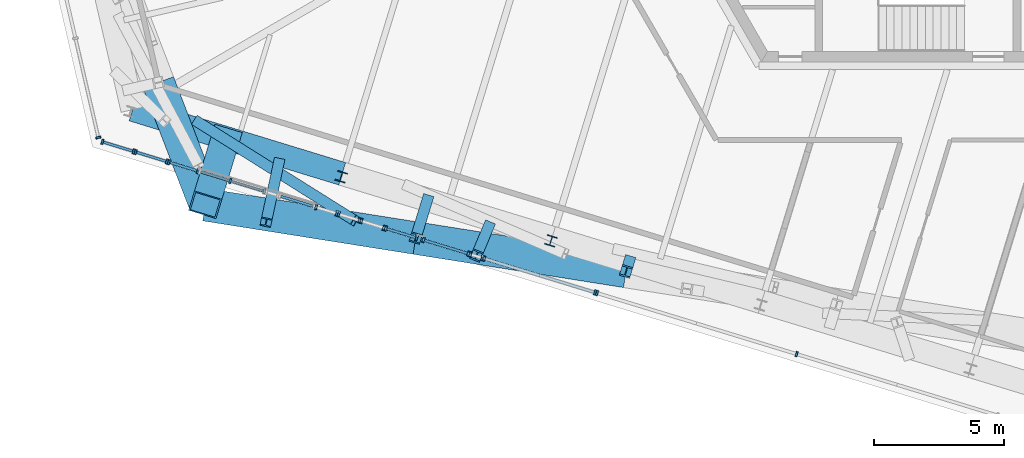
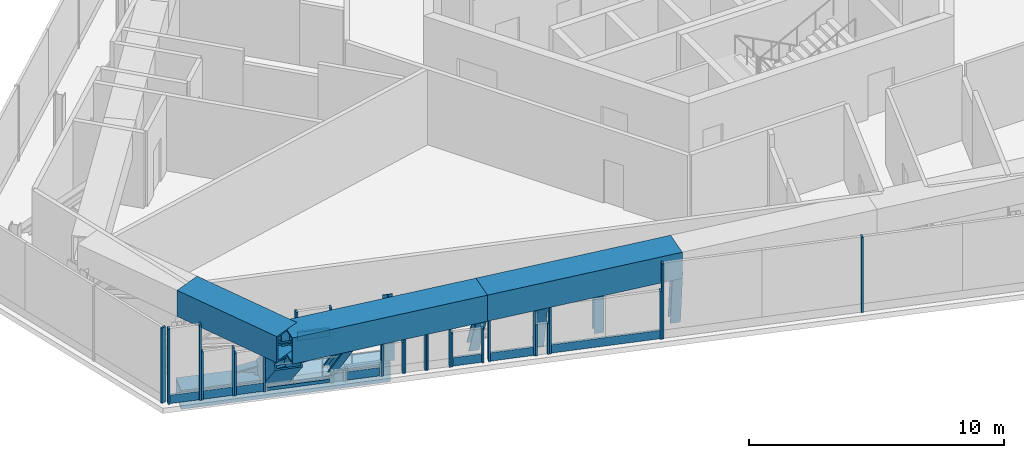
# One storey, part 1 of 31: 46 members, 15 elements without a shape of their own.
"""IFC4 building model written with IfcOpenShell, lengths in metres."""

from ifc_helpers import new_model, si_unit, direction, frame, origin, origin_2d, place, context, subcontext, project, spatial, rectangle, hollow_rectangle, i_section, extrude, source, transform, mapped, material, material_profile, profile_set, type_object, element, aggregate, save


model = new_model("IFC4")

# Units and contexts
model_context = context("Model", 3, precision=1e-05, world=origin(), true_north=direction((0.0, 1.0)))
body_context = subcontext(model_context, "Body", "Model", "MODEL_VIEW")
ifc_project = project(units=[si_unit("LENGTHUNIT", "METRE"), si_unit("AREAUNIT", "SQUARE_METRE"), si_unit("VOLUMEUNIT", "CUBIC_METRE"), si_unit("PLANEANGLEUNIT", "RADIAN"), si_unit("MASSUNIT", "GRAM", prefix="KILO")], contexts=[model_context])

# Site, building, storey
site_placement = place(None, origin())
site = spatial("IfcSite", under=ifc_project, at=site_placement, CompositionType="ELEMENT")
building_placement = place(site_placement, origin())
building = spatial("IfcBuilding", under=site, at=building_placement, Name="Triune Harvest Tower", CompositionType="ELEMENT")
storey_placement = place(building_placement, frame((0.0, 0.0, 134.300048828125)))
storey = spatial("IfcBuildingStorey", under=building, at=storey_placement, Name="L34", CompositionType="ELEMENT", Elevation=134.300048828125)

# Member
ifc_material_1 = material(Name="Steel ASTM A992 Gr 50", Category="steel")
ifc_material_profile_1 = material_profile(ifc_material_1, i_section(OverallWidth=0.411376953125, OverallDepth=0.434326171875, WebThickness=0.035888671875, FlangeThickness=0.057373046875, at=origin_2d()), Name="W14x311")
ifc_profile_set_1 = profile_set([ifc_material_profile_1], Name="Steel ASTM A992 Gr 50")
member_type_1 = type_object("IfcMemberType", Name="TD-2 Belt truss diagonal W14x311", PredefinedType="BRACE", material=ifc_profile_set_1)
member_1_placement = place(storey_placement, frame((-24.521728515625, -14.259033203125, -0.324951171875), z_axis=(-0.136641946938, -0.639593352627, 0.756471626442), x_axis=(0.977931843588, -0.208924171166, 0.0)))
element("IfcMember", 1, at=member_1_placement, inside=storey, type_object=member_type_1, Name="truss/L34/TD34", PredefinedType="BRACE", context=body_context, shape_type="SweptSolid", body=[
    extrude(i_section(OverallWidth=0.411376953125, OverallDepth=0.434326171875, WebThickness=0.035888671875, FlangeThickness=0.057373046875, at=origin_2d()), origin(), (0.0, 0.0, 1.0), 3.582275390625),
])

# Curtain wall, member
ifc_material_2 = material(Name="Aluminium bronze anodised", Category="aluminium")
curtain_wall_type_1 = type_object("IfcCurtainWallType", Name="CW-5 Plant louvre wall", PredefinedType="NOTDEFINED", material=ifc_material_2)
curtain_wall_1_placement = place(storey_placement, origin())
curtain_wall_1 = element("IfcCurtainWall", 2, at=curtain_wall_1_placement, inside=storey, type_object=curtain_wall_type_1, Name="CW-5 B3-F5 L34 run 201")
ifc_material_3 = material(Name="Aluminium bronze anodised", Category="aluminium")
ifc_material_profile_2 = material_profile(ifc_material_3, rectangle(XDim=0.10009765625, YDim=0.39990234375, at=origin_2d()), Name="TR-5 transom 100 x 400")
ifc_profile_set_2 = profile_set([ifc_material_profile_2], Name="Aluminium bronze anodised")
member_type_2 = type_object("IfcMemberType", Name="TR-5 transom 100 x 400", PredefinedType="USERDEFINED", material=ifc_profile_set_2)
member_2_placement = place(storey_placement, frame((-28.701416015625, -14.255615234375, 0.199951171875), z_axis=(0.956290198193, -0.292419316803, 0.0), x_axis=(0.292419316803, 0.956290198193, 0.0)))
member_2 = element("IfcMember", 3, at=member_2_placement, type_object=member_type_2, Name="CW-5 transom B3-F5 201.1", ObjectType="TRANSOM", PredefinedType="USERDEFINED", context=body_context, shape_type="SweptSolid", body=[
    extrude(rectangle(XDim=0.10009765625, YDim=0.39990234375, at=origin_2d()), origin(), (0.0, 0.0, 1.0), 1.081298828125),
])

curtain_wall_2_placement = place(storey_placement, origin())
curtain_wall_2 = element("IfcCurtainWall", 4, at=curtain_wall_2_placement, inside=storey, type_object=curtain_wall_type_1, Name="CW-5 B3-F5 L34 run 301")
member_3_placement = place(storey_placement, frame((-26.347900390625, -14.97509765625, 2.39453125), z_axis=(0.956314746579, -0.292339024892, 0.0), x_axis=(0.292339024892, 0.956314746579, 0.0)))
member_3 = element("IfcMember", 5, at=member_3_placement, type_object=member_type_2, Name="CW-5 transom B3-F5 301.1", ObjectType="TRANSOM", PredefinedType="USERDEFINED", context=body_context, shape_type="SweptSolid", body=[
    extrude(rectangle(XDim=0.10009765625, YDim=0.39990234375, at=origin_2d()), origin(), (0.0, 0.0, 1.0), 1.286865234375),
])

curtain_wall_3_placement = place(storey_placement, origin())
curtain_wall_3 = element("IfcCurtainWall", 6, at=curtain_wall_3_placement, inside=storey, type_object=curtain_wall_type_1, Name="CW-5 B3-F5 L34 run 601")
member_4_placement = place(storey_placement, frame((-24.447509765625, -15.55615234375, 0.199951171875), z_axis=(0.956317999386, -0.292328383929, 0.0), x_axis=(0.292328383929, 0.956317999386, 0.0)))
member_4 = element("IfcMember", 7, at=member_4_placement, type_object=member_type_2, Name="CW-5 transom B3-F5 601.1", ObjectType="TRANSOM", PredefinedType="USERDEFINED", context=body_context, shape_type="SweptSolid", body=[
    extrude(rectangle(XDim=0.10009765625, YDim=0.39990234375, at=origin_2d()), origin(), (0.0, 0.0, 1.0), 1.298583984375),
])
aggregate(curtain_wall_3, [member_4])

curtain_wall_4_placement = place(storey_placement, origin())
curtain_wall_4 = element("IfcCurtainWall", 8, at=curtain_wall_4_placement, inside=storey, type_object=curtain_wall_type_1, Name="CW-5 B3-F5 L34 run 1001")
member_5_placement = place(storey_placement, frame((-20.380859375, -16.799560546875, 0.199951171875), z_axis=(0.956333561976, -0.292277467894, 0.0), x_axis=(0.292277467894, 0.956333561976, 0.0)))
member_5 = element("IfcMember", 9, at=member_5_placement, type_object=member_type_2, Name="CW-5 transom B3-F5 1001.1", ObjectType="TRANSOM", PredefinedType="USERDEFINED", context=body_context, shape_type="SweptSolid", body=[
    extrude(rectangle(XDim=0.10009765625, YDim=0.39990234375, at=origin_2d()), origin(), (0.0, 0.0, 1.0), 1.15771484375),
])

curtain_wall_5_placement = place(storey_placement, origin())
curtain_wall_5 = element("IfcCurtainWall", 10, at=curtain_wall_5_placement, inside=storey, type_object=curtain_wall_type_1, Name="CW-5 B3-F5 L34 run 1101")
member_6_placement = place(storey_placement, frame((-18.935302734375, -17.241455078125, 0.199951171875), z_axis=(0.956316380382, -0.292333680259, 0.0), x_axis=(0.292333680259, 0.956316380382, 0.0)))
member_6 = element("IfcMember", 11, at=member_6_placement, type_object=member_type_2, Name="CW-5 transom B3-F5 1101.1", ObjectType="TRANSOM", PredefinedType="USERDEFINED", context=body_context, shape_type="SweptSolid", body=[
    extrude(rectangle(XDim=0.10009765625, YDim=0.39990234375, at=origin_2d()), origin(), (0.0, 0.0, 1.0), 1.7236328125),
])

curtain_wall_6_placement = place(storey_placement, origin())
curtain_wall_6 = element("IfcCurtainWall", 12, at=curtain_wall_6_placement, inside=storey, type_object=curtain_wall_type_1, Name="CW-5 B3-F5 L34 run 1301")
member_7_placement = place(storey_placement, frame((-16.604248046875, -17.9541015625, 0.199951171875), z_axis=(0.956309050487, -0.292357657599, 0.0), x_axis=(0.292357657599, 0.956309050487, 0.0)))
member_7 = element("IfcMember", 13, at=member_7_placement, type_object=member_type_2, Name="CW-5 transom B3-F5 1301.1", ObjectType="TRANSOM", PredefinedType="USERDEFINED", context=body_context, shape_type="SweptSolid", body=[
    extrude(rectangle(XDim=0.10009765625, YDim=0.39990234375, at=origin_2d()), origin(), (0.0, 0.0, 1.0), 4.369140625),
])

# Members
ifc_material_4 = material(Name="Steel ASTM A992 Gr 50", Category="steel")
ifc_material_profile_3 = material_profile(ifc_material_4, i_section(OverallWidth=0.396240234375, OverallDepth=0.381103515625, WebThickness=0.01904296875, FlangeThickness=0.0302734375, at=origin_2d()), Name="W14x159")
ifc_profile_set_3 = profile_set([ifc_material_profile_3], Name="Steel ASTM A992 Gr 50")
member_type_3 = type_object("IfcMemberType", Name="WP-3 Roof edge post W14x159", PredefinedType="POST", material=ifc_profile_set_3)
shared_shape_1 = source(origin(), body_context, "Body", "SweptSolid", [
    extrude(i_section(OverallWidth=0.396240234375, OverallDepth=0.381103515625, WebThickness=0.01904296875, FlangeThickness=0.0302734375, at=origin_2d()), origin(), (0.0, 0.0, 1.0), 2.935546875),
])
for number, where, z_axis, x_axis, name in (
    (14, (-22.123779296875, -14.80419921875, -0.25), (0.0, 0.0, 1.0), (0.956304755963, -0.292371704723, 0.0), "post/L34/W17"),
    (15, (-14.0771484375, -17.26416015625, -0.25), (0.0, 0.0, 1.0), (0.956304755963, -0.292371704723, 0.0), "post/L34/W18"),
):
    element("IfcMember", number, at=place(storey_placement, frame(where, z_axis=z_axis, x_axis=x_axis)), inside=storey, type_object=member_type_3, Name=name, PredefinedType="POST", context=body_context, shape_type="MappedRepresentation", body=[
        mapped(shared_shape_1, transform((0.0, 0.0, 0.0), scale=1.0)),
    ])
ifc_material_5 = material(Name="Steel ASTM A572 Gr 50", Category="steel")
ifc_material_profile_4 = material_profile(ifc_material_5, hollow_rectangle(XDim=0.89990234375, YDim=0.89990234375, WallThickness=0.050048828125, at=origin_2d()), Name="Box 900x900x50")
ifc_profile_set_4 = profile_set([ifc_material_profile_4], Name="Steel ASTM A572 Gr 50")
member_type_4 = type_object("IfcMemberType", Name="TC-2 Belt truss chord Box 900x900x50", PredefinedType="CHORD", material=ifc_profile_set_4)
shared_shape_2 = source(origin(), body_context, "Body", "SweptSolid", [
    extrude(hollow_rectangle(XDim=0.89990234375, YDim=0.89990234375, WallThickness=0.050048828125, at=origin_2d()), origin(), (0.0, 0.0, 1.0), 8.414306640625),
])
member_8_placement = place(storey_placement, frame((-30.135498046875, -12.22900390625, -0.699951171875), z_axis=(0.956301328629, -0.292382914791, 0.0), x_axis=(0.292382914791, 0.956301328629, 0.0)))
element("IfcMember", 16, at=member_8_placement, inside=storey, type_object=member_type_4, Name="truss/L34/TCB17", PredefinedType="CHORD", context=body_context, shape_type="MappedRepresentation", body=[
    mapped(shared_shape_2, transform((0.0, 0.0, 0.0), scale=1.0)),
])
ifc_material_6 = material(Name="Steel ASTM A572 Gr 50", Category="steel")
ifc_material_profile_5 = material_profile(ifc_material_6, hollow_rectangle(XDim=1.25, YDim=1.25, WallThickness=0.070068359375, at=origin_2d()), Name="Box 1250x1250x70")
ifc_profile_set_5 = profile_set([ifc_material_profile_5], Name="Steel ASTM A572 Gr 50")
member_type_5 = type_object("IfcMemberType", Name="TC-1 Belt truss chord Box 1250x1250x70", PredefinedType="CHORD", material=ifc_profile_set_5)
shared_shape_3 = source(origin(), body_context, "Body", "SweptSolid", [
    extrude(hollow_rectangle(XDim=1.25, YDim=1.25, WallThickness=0.070068359375, at=origin_2d()), origin(), (0.0, 0.0, 1.0), 8.175048828125),
])
member_9_placement = place(storey_placement, frame((-19.271484375, -17.158447265625, 2.974853515625), z_axis=(0.987689487642, -0.156427222697, 0.0), x_axis=(0.156427222697, 0.987689487642, 0.0)))
element("IfcMember", 17, at=member_9_placement, inside=storey, type_object=member_type_5, Name="truss/L34/TCT18", PredefinedType="CHORD", context=body_context, shape_type="MappedRepresentation", body=[
    mapped(shared_shape_3, transform((0.0, 0.0, 0.0), scale=1.0)),
])
shared_shape_4 = source(origin(), body_context, "Body", "SweptSolid", [
    extrude(hollow_rectangle(XDim=1.25, YDim=1.25, WallThickness=0.070068359375, at=origin_2d()), origin(), (0.0, 0.0, 1.0), 8.1748046875),
])
member_10_placement = place(storey_placement, frame((-27.345703125, -15.879638671875, 2.974853515625), z_axis=(0.987688756855, -0.156431836853, 0.0), x_axis=(0.156431836853, 0.987688756855, 0.0)))
element("IfcMember", 18, at=member_10_placement, inside=storey, type_object=member_type_5, Name="truss/L34/TCT17", PredefinedType="CHORD", context=body_context, shape_type="MappedRepresentation", body=[
    mapped(shared_shape_4, transform((0.0, 0.0, 0.0), scale=1.0)),
])
shared_shape_5 = source(origin(), body_context, "Body", "SweptSolid", [
    extrude(hollow_rectangle(XDim=1.25, YDim=1.25, WallThickness=0.070068359375, at=origin_2d()), origin(), (0.0, 0.0, 1.0), 5.025146484375),
])
member_11_placement = place(storey_placement, frame((-29.146484375, -11.188232421875, 2.974853515625), z_axis=(0.358353920963, -0.933585811445, 0.0), x_axis=(0.933585811445, 0.358353920963, 0.0)))
element("IfcMember", 19, at=member_11_placement, inside=storey, type_object=member_type_5, Name="truss/L34/TCT16", PredefinedType="CHORD", context=body_context, shape_type="MappedRepresentation", body=[
    mapped(shared_shape_5, transform((0.0, 0.0, 0.0), scale=1.0)),
])
ifc_material_7 = material(Name="Steel ASTM A572 Gr 50", Category="steel")
ifc_material_profile_6 = material_profile(ifc_material_7, hollow_rectangle(XDim=1.10009765625, YDim=1.10009765625, WallThickness=0.06005859375, at=origin_2d()), Name="Box 1100x1100x60")
ifc_profile_set_6 = profile_set([ifc_material_profile_6], Name="Steel ASTM A572 Gr 50")
member_type_6 = type_object("IfcMemberType", Name="TS-1 Belt truss raked strut Box 1100x1100x60", PredefinedType="STRUT", material=ifc_profile_set_6)
shared_shape_6 = source(origin(), body_context, "Body", "SweptSolid", [
    extrude(hollow_rectangle(XDim=1.10009765625, YDim=1.10009765625, WallThickness=0.06005859375, at=origin_2d()), origin(), (0.0, 0.0, 1.0), 3.772705078125),
])
member_12_placement = place(storey_placement, frame((-26.563720703125, -13.3212890625, -0.275146484375), z_axis=(-0.20727529302, -0.678126067923, 0.70511133086), x_axis=(0.956323937302, -0.292308958028, 0.0)))
element("IfcMember", 20, at=member_12_placement, inside=storey, type_object=member_type_6, Name="truss/L34/TS17", PredefinedType="STRUT", context=body_context, shape_type="MappedRepresentation", body=[
    mapped(shared_shape_6, transform((0.0, 0.0, 0.0), scale=1.0)),
])
ifc_material_8 = material(Name="Steel ASTM A992 Gr 50", Category="steel")
ifc_material_profile_7 = material_profile(ifc_material_8, i_section(OverallWidth=0.411376953125, OverallDepth=0.434326171875, WebThickness=0.035888671875, FlangeThickness=0.057373046875, at=origin_2d()), Name="W14x311")
ifc_profile_set_7 = profile_set([ifc_material_profile_7], Name="Steel ASTM A992 Gr 50")
member_type_7 = type_object("IfcMemberType", Name="TV-1 Belt truss strut W14x311", PredefinedType="STRUT", material=ifc_profile_set_7)
shared_shape_7 = source(origin(), body_context, "Body", "SweptSolid", [
    extrude(i_section(OverallWidth=0.411376953125, OverallDepth=0.434326171875, WebThickness=0.035888671875, FlangeThickness=0.057373046875, at=origin_2d()), origin(), (0.0, 0.0, 1.0), 3.072509765625),
])
member_13_placement = place(storey_placement, frame((-18.822021484375, -15.68798828125, -0.275146484375), z_axis=(-0.146282304269, -0.4785759471, 0.865775115325), x_axis=(0.95632321724, -0.292311313787, 0.0)))
element("IfcMember", 21, at=member_13_placement, inside=storey, type_object=member_type_7, Name="truss/L34/TS18", PredefinedType="STRUT", context=body_context, shape_type="MappedRepresentation", body=[
    mapped(shared_shape_7, transform((0.0, 0.0, 0.0), scale=1.0)),
])
shared_shape_8 = source(origin(), body_context, "Body", "SweptSolid", [
    extrude(i_section(OverallWidth=0.411376953125, OverallDepth=0.434326171875, WebThickness=0.035888671875, FlangeThickness=0.057373046875, at=origin_2d()), origin(), (0.0, 0.0, 1.0), 2.68994140625),
])
member_14_placement = place(storey_placement, frame((-11.080078125, -18.054931640625, -0.275146484375), z_axis=(-0.04347283061, -0.142126206128, 0.988893449534), x_axis=(0.956266204085, -0.292497772514, 0.0)))
element("IfcMember", 22, at=member_14_placement, inside=storey, type_object=member_type_7, Name="truss/L34/TS19", PredefinedType="STRUT", context=body_context, shape_type="MappedRepresentation", body=[
    mapped(shared_shape_8, transform((0.0, 0.0, 0.0), scale=1.0)),
])
shared_shape_9 = source(origin(), body_context, "Body", "SweptSolid", [
    extrude(i_section(OverallWidth=0.411376953125, OverallDepth=0.434326171875, WebThickness=0.035888671875, FlangeThickness=0.057373046875, at=origin_2d()), origin(), (0.0, 0.0, 1.0), 2.964599609375),
])
member_15_placement = place(storey_placement, frame((-16.47509765625, -16.71923828125, -0.324951171875), z_axis=(-0.155808171779, -0.374367837688, 0.914096568045), x_axis=(0.923233067629, -0.384240423219, 0.0)))
element("IfcMember", 23, at=member_15_placement, inside=storey, type_object=member_type_1, Name="truss/L34/TD36", PredefinedType="BRACE", context=body_context, shape_type="MappedRepresentation", body=[
    mapped(shared_shape_9, transform((0.0, 0.0, 0.0), scale=1.0)),
])
shared_shape_10 = source(origin(), body_context, "Body", "SweptSolid", [
    extrude(i_section(OverallWidth=0.411376953125, OverallDepth=0.434326171875, WebThickness=0.035888671875, FlangeThickness=0.057373046875, at=origin_2d()), origin(), (0.0, 0.0, 1.0), 7.692138671875),
])
member_16_placement = place(storey_placement, frame((-27.70263671875, -12.6591796875, -0.324951171875), z_axis=(0.792556065125, -0.497731937579, 0.352303565051), x_axis=(0.531829788248, 0.846851271671, 0.0)))
element("IfcMember", 24, at=member_16_placement, inside=storey, type_object=member_type_1, Name="truss/L34/TD33", PredefinedType="BRACE", context=body_context, shape_type="MappedRepresentation", body=[
    mapped(shared_shape_10, transform((0.0, 0.0, 0.0), scale=1.0)),
])

# Curtain wall, member
curtain_wall_7_placement = place(storey_placement, origin())
curtain_wall_7 = element("IfcCurtainWall", 25, at=curtain_wall_7_placement, inside=storey, type_object=curtain_wall_type_1, Name="CW-5 B3-F4 L34 run 1")
ifc_material_9 = material(Name="Aluminium bronze anodised", Category="aluminium")
ifc_material_profile_8 = material_profile(ifc_material_9, rectangle(XDim=0.199951171875, YDim=0.080078125, at=origin_2d()), Name="MU-5 mullion 80 x 200")
ifc_profile_set_8 = profile_set([ifc_material_profile_8], Name="Aluminium bronze anodised")
member_type_8 = type_object("IfcMemberType", Name="MU-5 mullion 80 x 200", PredefinedType="MULLION", material=ifc_profile_set_8)
shared_shape_11 = source(origin(), body_context, "Body", "SweptSolid", [
    extrude(rectangle(XDim=0.199951171875, YDim=0.080078125, at=origin_2d()), origin(), (0.0, 0.0, 1.0), 3.599853515625),
])
member_17_placement = place(storey_placement, frame((-31.447265625, -13.29833984375, 0.0), z_axis=(0.0, 0.0, 1.0), x_axis=(0.974371012181, 0.224946950683, 0.0)))
member_17 = element("IfcMember", 26, at=member_17_placement, type_object=member_type_8, Name="CW-5 mullion B3-F4 1.4", PredefinedType="MULLION", context=body_context, shape_type="MappedRepresentation", body=[
    mapped(shared_shape_11, transform((0.0, 0.0, 0.0), scale=1.0)),
])
aggregate(curtain_wall_7, [member_17])

# Curtain wall, members
curtain_wall_8_placement = place(storey_placement, origin())
curtain_wall_8 = element("IfcCurtainWall", 27, at=curtain_wall_8_placement, inside=storey, type_object=curtain_wall_type_1, Name="CW-5 B3-F5 L34 run 1")
member_18_placement = place(storey_placement, frame((-31.293701171875, -13.462890625, 0.0), z_axis=(0.0, 0.0, 1.0), x_axis=(0.292406866385, 0.956294005257, 0.0)))
member_18 = element("IfcMember", 28, at=member_18_placement, type_object=member_type_8, Name="CW-5 mullion B3-F5 1.1", PredefinedType="MULLION", context=body_context, shape_type="MappedRepresentation", body=[
    mapped(shared_shape_11, transform((0.0, 0.0, 0.0), scale=1.0)),
])
member_19_placement = place(storey_placement, frame((-30.09326171875, -13.830078125, 0.0), z_axis=(0.0, 0.0, 1.0), x_axis=(0.292406866385, 0.956294005257, 0.0)))
member_19 = element("IfcMember", 29, at=member_19_placement, type_object=member_type_8, Name="CW-5 mullion B3-F5 1.2", PredefinedType="MULLION", context=body_context, shape_type="MappedRepresentation", body=[
    mapped(shared_shape_11, transform((0.0, 0.0, 0.0), scale=1.0)),
])

curtain_wall_9_placement = place(storey_placement, origin())
curtain_wall_9 = element("IfcCurtainWall", 30, at=curtain_wall_9_placement, inside=storey, type_object=curtain_wall_type_1, Name="CW-5 B3-F5 L34 run 1401")
member_20_placement = place(storey_placement, frame((-12.311279296875, -19.2666015625, 0.0), z_axis=(0.0, 0.0, 1.0), x_axis=(0.292373914166, 0.956304080466, 0.0)))
member_20 = element("IfcMember", 31, at=member_20_placement, type_object=member_type_8, Name="CW-5 mullion B3-F5 1401.1", PredefinedType="MULLION", context=body_context, shape_type="MappedRepresentation", body=[
    mapped(shared_shape_11, transform((0.0, 0.0, 0.0), scale=1.0)),
])
member_21_placement = place(storey_placement, frame((-4.648681640625, -21.609375, 0.0), z_axis=(0.0, 0.0, 1.0), x_axis=(0.292373914166, 0.956304080466, 0.0)))
member_21 = element("IfcMember", 32, at=member_21_placement, type_object=member_type_8, Name="CW-5 mullion B3-F5 1401.3", PredefinedType="MULLION", context=body_context, shape_type="MappedRepresentation", body=[
    mapped(shared_shape_11, transform((0.0, 0.0, 0.0), scale=1.0)),
])
aggregate(curtain_wall_9, [member_20, member_21])

# Member
shared_shape_12 = source(origin(), body_context, "Body", "SweptSolid", [
    extrude(rectangle(XDim=0.10009765625, YDim=0.39990234375, at=origin_2d()), origin(), (0.0, 0.0, 1.0), 1.175537109375),
])
member_22_placement = place(storey_placement, frame((-31.255615234375, -13.474609375, 0.199951171875), z_axis=(0.956298356561, -0.292392635405, 0.0), x_axis=(0.292392635405, 0.956298356561, 0.0)))
member_22 = element("IfcMember", 33, at=member_22_placement, type_object=member_type_2, Name="CW-5 transom B3-F5 1.1", ObjectType="TRANSOM", PredefinedType="USERDEFINED", context=body_context, shape_type="MappedRepresentation", body=[
    mapped(shared_shape_12, transform((0.0, 0.0, 0.0), scale=1.0)),
])

aggregate(curtain_wall_8, [member_18, member_19, member_22])

# Curtain wall, members
curtain_wall_10_placement = place(storey_placement, origin())
curtain_wall_10 = element("IfcCurtainWall", 34, at=curtain_wall_10_placement, inside=storey, type_object=curtain_wall_type_1, Name="CW-5 B3-F5 L34 run 101")
member_23_placement = place(storey_placement, frame((-29.978515625, -13.865234375, 0.199951171875), z_axis=(0.956356407454, -0.292202706903, 0.0), x_axis=(0.292202706903, 0.956356407454, 0.0)))
member_23 = element("IfcMember", 35, at=member_23_placement, type_object=member_type_2, Name="CW-5 transom B3-F5 101.1", ObjectType="TRANSOM", PredefinedType="USERDEFINED", context=body_context, shape_type="MappedRepresentation", body=[
    mapped(shared_shape_12, transform((0.0, 0.0, 0.0), scale=1.0)),
])
shared_shape_13 = source(origin(), body_context, "Body", "SweptSolid", [
    extrude(rectangle(XDim=0.199951171875, YDim=0.080078125, at=origin_2d()), origin(), (0.0, 0.0, 1.0), 2.2900390625),
])
member_24_placement = place(storey_placement, frame((-30.0166015625, -13.853515625, 0.0), z_axis=(0.0, 0.0, 1.0), x_axis=(0.292338386403, 0.956314941761, 0.0)))
member_24 = element("IfcMember", 36, at=member_24_placement, type_object=member_type_8, Name="CW-5 mullion B3-F5 101.1", PredefinedType="MULLION", context=body_context, shape_type="MappedRepresentation", body=[
    mapped(shared_shape_13, transform((0.0, 0.0, 0.0), scale=1.0)),
])
member_25_placement = place(storey_placement, frame((-28.816162109375, -14.220458984375, 0.0), z_axis=(0.0, 0.0, 1.0), x_axis=(0.292338386403, 0.956314941761, 0.0)))
member_25 = element("IfcMember", 37, at=member_25_placement, type_object=member_type_8, Name="CW-5 mullion B3-F5 101.2", PredefinedType="MULLION", context=body_context, shape_type="MappedRepresentation", body=[
    mapped(shared_shape_13, transform((0.0, 0.0, 0.0), scale=1.0)),
])
aggregate(curtain_wall_10, [member_24, member_25, member_23])

# Member
member_26_placement = place(storey_placement, frame((-18.9736328125, -17.229736328125, 0.0), z_axis=(0.0, 0.0, 1.0), x_axis=(0.292384412737, 0.956300870641, 0.0)))
member_26 = element("IfcMember", 38, at=member_26_placement, type_object=member_type_8, Name="CW-5 mullion B3-F5 1101.1", PredefinedType="MULLION", context=body_context, shape_type="MappedRepresentation", body=[
    mapped(shared_shape_13, transform((0.0, 0.0, 0.0), scale=1.0)),
])

member_27_placement = place(storey_placement, frame((-17.24853515625, -17.757080078125, 0.0), z_axis=(0.0, 0.0, 1.0), x_axis=(0.292384412737, 0.956300870641, 0.0)))
member_27 = element("IfcMember", 39, at=member_27_placement, type_object=member_type_8, Name="CW-5 mullion B3-F5 1101.2", PredefinedType="MULLION", context=body_context, shape_type="MappedRepresentation", body=[
    mapped(shared_shape_13, transform((0.0, 0.0, 0.0), scale=1.0)),
])

aggregate(curtain_wall_5, [member_26, member_27, member_6])

member_28_placement = place(storey_placement, frame((-16.642578125, -17.9423828125, 0.0), z_axis=(0.0, 0.0, 1.0), x_axis=(0.292369422941, 0.956305453571, 0.0)))
member_28 = element("IfcMember", 40, at=member_28_placement, type_object=member_type_8, Name="CW-5 mullion B3-F5 1301.1", PredefinedType="MULLION", context=body_context, shape_type="MappedRepresentation", body=[
    mapped(shared_shape_13, transform((0.0, 0.0, 0.0), scale=1.0)),
])

member_29_placement = place(storey_placement, frame((-12.3876953125, -19.2431640625, 0.0), z_axis=(0.0, 0.0, 1.0), x_axis=(0.292369422941, 0.956305453571, 0.0)))
member_29 = element("IfcMember", 41, at=member_29_placement, type_object=member_type_8, Name="CW-5 mullion B3-F5 1301.3", PredefinedType="MULLION", context=body_context, shape_type="MappedRepresentation", body=[
    mapped(shared_shape_13, transform((0.0, 0.0, 0.0), scale=1.0)),
])

aggregate(curtain_wall_6, [member_28, member_29, member_7])

shared_shape_14 = source(origin(), body_context, "Body", "SweptSolid", [
    extrude(rectangle(XDim=0.199951171875, YDim=0.080078125, at=origin_2d()), origin(), (0.0, 0.0, 1.0), 2.022705078125),
])
member_30_placement = place(storey_placement, frame((-28.739501953125, -14.243896484375, 0.0), z_axis=(0.0, 0.0, 1.0), x_axis=(0.292415053906, 0.956291501713, 0.0)))
member_30 = element("IfcMember", 42, at=member_30_placement, type_object=member_type_8, Name="CW-5 mullion B3-F5 201.1", PredefinedType="MULLION", context=body_context, shape_type="MappedRepresentation", body=[
    mapped(shared_shape_14, transform((0.0, 0.0, 0.0), scale=1.0)),
])

member_31_placement = place(storey_placement, frame((-27.629150390625, -14.58349609375, 0.0), z_axis=(0.0, 0.0, 1.0), x_axis=(0.292415053906, 0.956291501713, 0.0)))
member_31 = element("IfcMember", 43, at=member_31_placement, type_object=member_type_8, Name="CW-5 mullion B3-F5 201.2", PredefinedType="MULLION", context=body_context, shape_type="MappedRepresentation", body=[
    mapped(shared_shape_14, transform((0.0, 0.0, 0.0), scale=1.0)),
])

aggregate(curtain_wall_1, [member_30, member_31, member_2])

# Curtain wall, members
curtain_wall_11_placement = place(storey_placement, origin())
curtain_wall_11 = element("IfcCurtainWall", 44, at=curtain_wall_11_placement, inside=storey, type_object=curtain_wall_type_1, Name="CW-5 B3-F5 L34 run 801")
shared_shape_15 = source(origin(), body_context, "Body", "SweptSolid", [
    extrude(rectangle(XDim=0.199951171875, YDim=0.080078125, at=origin_2d()), origin(), (0.0, 0.0, 1.0), 1.817138671875),
])
member_32_placement = place(storey_placement, frame((-22.2236328125, -16.236083984375, 0.0), z_axis=(0.0, 0.0, 1.0), x_axis=(0.292442652337, 0.956283062223, 0.0)))
member_32 = element("IfcMember", 45, at=member_32_placement, type_object=member_type_8, Name="CW-5 mullion B3-F5 801.1", PredefinedType="MULLION", context=body_context, shape_type="MappedRepresentation", body=[
    mapped(shared_shape_15, transform((0.0, 0.0, 0.0), scale=1.0)),
])
member_33_placement = place(storey_placement, frame((-21.432861328125, -16.477783203125, 0.0), z_axis=(0.0, 0.0, 1.0), x_axis=(0.292442652337, 0.956283062223, 0.0)))
member_33 = element("IfcMember", 46, at=member_33_placement, type_object=member_type_8, Name="CW-5 mullion B3-F5 801.2", PredefinedType="MULLION", context=body_context, shape_type="MappedRepresentation", body=[
    mapped(shared_shape_15, transform((0.0, 0.0, 0.0), scale=1.0)),
])
aggregate(curtain_wall_11, [member_32, member_33])

curtain_wall_12_placement = place(storey_placement, origin())
curtain_wall_12 = element("IfcCurtainWall", 47, at=curtain_wall_12_placement, inside=storey, type_object=curtain_wall_type_1, Name="CW-5 B3-F5 L34 run 901")
shared_shape_16 = source(origin(), body_context, "Body", "SweptSolid", [
    extrude(rectangle(XDim=0.199951171875, YDim=0.080078125, at=origin_2d()), origin(), (0.0, 0.0, 1.0), 2.146728515625),
])
member_34_placement = place(storey_placement, frame((-21.3564453125, -16.501220703125, 0.0), z_axis=(0.0, 0.0, 1.0), x_axis=(0.29240775038, 0.956293734957, 0.0)))
member_34 = element("IfcMember", 48, at=member_34_placement, type_object=member_type_8, Name="CW-5 mullion B3-F5 901.1", PredefinedType="MULLION", context=body_context, shape_type="MappedRepresentation", body=[
    mapped(shared_shape_16, transform((0.0, 0.0, 0.0), scale=1.0)),
])
member_35_placement = place(storey_placement, frame((-20.49560546875, -16.764404296875, 0.0), z_axis=(0.0, 0.0, 1.0), x_axis=(0.29240775038, 0.956293734957, 0.0)))
member_35 = element("IfcMember", 49, at=member_35_placement, type_object=member_type_8, Name="CW-5 mullion B3-F5 901.2", PredefinedType="MULLION", context=body_context, shape_type="MappedRepresentation", body=[
    mapped(shared_shape_16, transform((0.0, 0.0, 0.0), scale=1.0)),
])
aggregate(curtain_wall_12, [member_34, member_35])

# Curtain wall, member
ifc_material_10 = material(Name="Aluminium bronze anodised", Category="aluminium")
curtain_wall_type_2 = type_object("IfcCurtainWallType", Name="CW-6 Balcony window wall", PredefinedType="NOTDEFINED", material=ifc_material_10)
curtain_wall_13_placement = place(storey_placement, origin())
curtain_wall_13 = element("IfcCurtainWall", 50, at=curtain_wall_13_placement, inside=storey, type_object=curtain_wall_type_2, Name="CW-6 B3-F5 L34 run 1501")
ifc_material_11 = material(Name="Aluminium bronze anodised", Category="aluminium")
ifc_material_profile_9 = material_profile(ifc_material_11, rectangle(XDim=0.090087890625, YDim=0.14990234375, at=origin_2d()), Name="TR-6 transom 90 x 150")
ifc_profile_set_9 = profile_set([ifc_material_profile_9], Name="Aluminium bronze anodised")
member_type_9 = type_object("IfcMemberType", Name="TR-6 transom 90 x 150", PredefinedType="USERDEFINED", material=ifc_profile_set_9)
shared_shape_17 = source(origin(), body_context, "Body", "SweptSolid", [
    extrude(rectangle(XDim=0.090087890625, YDim=0.14990234375, at=origin_2d()), origin(), (0.0, 0.0, 1.0), 2.516845703125),
])
member_36_placement = place(storey_placement, frame((-27.519287109375, -14.616943359375, 0.074951171875), z_axis=(0.956310147042, -0.292354070716, 0.0), x_axis=(0.292354070716, 0.956310147042, 0.0)))
member_36 = element("IfcMember", 51, at=member_36_placement, type_object=member_type_9, Name="CW-6 transom B3-F5 1501.1", ObjectType="TRANSOM", PredefinedType="USERDEFINED", context=body_context, shape_type="MappedRepresentation", body=[
    mapped(shared_shape_17, transform((0.0, 0.0, 0.0), scale=1.0)),
])
aggregate(curtain_wall_13, [member_36])

# Member
shared_shape_18 = source(origin(), body_context, "Body", "SweptSolid", [
    extrude(rectangle(XDim=0.199951171875, YDim=0.080078125, at=origin_2d()), origin(), (0.0, 0.0, 1.0), 1.405517578125),
])
member_37_placement = place(storey_placement, frame((-26.385986328125, -14.96337890625, 2.1943359375), z_axis=(0.0, 0.0, 1.0), x_axis=(0.292366034314, 0.956306489563, 0.0)))
member_37 = element("IfcMember", 52, at=member_37_placement, type_object=member_type_8, Name="CW-5 mullion B3-F5 301.1", PredefinedType="MULLION", context=body_context, shape_type="MappedRepresentation", body=[
    mapped(shared_shape_18, transform((0.0, 0.0, 0.0), scale=1.0)),
])

member_38_placement = place(storey_placement, frame((-25.078857421875, -15.363037109375, 2.1943359375), z_axis=(0.0, 0.0, 1.0), x_axis=(0.292366034314, 0.956306489563, 0.0)))
member_38 = element("IfcMember", 53, at=member_38_placement, type_object=member_type_8, Name="CW-5 mullion B3-F5 301.2", PredefinedType="MULLION", context=body_context, shape_type="MappedRepresentation", body=[
    mapped(shared_shape_18, transform((0.0, 0.0, 0.0), scale=1.0)),
])

aggregate(curtain_wall_2, [member_37, member_38, member_3])

# Curtain wall, members
curtain_wall_14_placement = place(storey_placement, origin())
curtain_wall_14 = element("IfcCurtainWall", 54, at=curtain_wall_14_placement, inside=storey, type_object=curtain_wall_type_1, Name="CW-5 B3-F5 L34 run 701")
shared_shape_19 = source(origin(), body_context, "Body", "SweptSolid", [
    extrude(rectangle(XDim=0.199951171875, YDim=0.080078125, at=origin_2d()), origin(), (0.0, 0.0, 1.0), 1.487548828125),
])
member_39_placement = place(storey_placement, frame((-23.0908203125, -15.970947265625, 0.0), z_axis=(0.0, 0.0, 1.0), x_axis=(0.292341805754, 0.956313896484, 0.0)))
member_39 = element("IfcMember", 55, at=member_39_placement, type_object=member_type_8, Name="CW-5 mullion B3-F5 701.1", PredefinedType="MULLION", context=body_context, shape_type="MappedRepresentation", body=[
    mapped(shared_shape_19, transform((0.0, 0.0, 0.0), scale=1.0)),
])
member_40_placement = place(storey_placement, frame((-22.300048828125, -16.212646484375, 0.0), z_axis=(0.0, 0.0, 1.0), x_axis=(0.292341805754, 0.956313896484, 0.0)))
member_40 = element("IfcMember", 56, at=member_40_placement, type_object=member_type_8, Name="CW-5 mullion B3-F5 701.2", PredefinedType="MULLION", context=body_context, shape_type="MappedRepresentation", body=[
    mapped(shared_shape_19, transform((0.0, 0.0, 0.0), scale=1.0)),
])
aggregate(curtain_wall_14, [member_39, member_40])

# Member
shared_shape_20 = source(origin(), body_context, "Body", "SweptSolid", [
    extrude(rectangle(XDim=0.199951171875, YDim=0.080078125, at=origin_2d()), origin(), (0.0, 0.0, 1.0), 1.625244140625),
])
member_41_placement = place(storey_placement, frame((-20.419189453125, -16.787841796875, 0.0), z_axis=(0.0, 0.0, 1.0), x_axis=(0.292363115343, 0.956307381958, 0.0)))
member_41 = element("IfcMember", 57, at=member_41_placement, type_object=member_type_8, Name="CW-5 mullion B3-F5 1001.1", PredefinedType="MULLION", context=body_context, shape_type="MappedRepresentation", body=[
    mapped(shared_shape_20, transform((0.0, 0.0, 0.0), scale=1.0)),
])

member_42_placement = place(storey_placement, frame((-19.2353515625, -17.149658203125, 0.0), z_axis=(0.0, 0.0, 1.0), x_axis=(0.292363115343, 0.956307381958, 0.0)))
member_42 = element("IfcMember", 58, at=member_42_placement, type_object=member_type_8, Name="CW-5 mullion B3-F5 1001.2", PredefinedType="MULLION", context=body_context, shape_type="MappedRepresentation", body=[
    mapped(shared_shape_20, transform((0.0, 0.0, 0.0), scale=1.0)),
])

aggregate(curtain_wall_4, [member_41, member_42, member_5])

# Curtain wall, members
curtain_wall_15_placement = place(storey_placement, origin())
curtain_wall_15 = element("IfcCurtainWall", 59, at=curtain_wall_15_placement, inside=storey, type_object=curtain_wall_type_1, Name="CW-5 B3-F5 L34 run 1201")
shared_shape_21 = source(origin(), body_context, "Body", "SweptSolid", [
    extrude(rectangle(XDim=0.199951171875, YDim=0.080078125, at=origin_2d()), origin(), (0.0, 0.0, 1.0), 1.466796875),
])
member_43_placement = place(storey_placement, frame((-17.172119140625, -17.780517578125, 0.0), z_axis=(0.0, 0.0, 1.0), x_axis=(0.292397477326, 0.956296876108, 0.0)))
member_43 = element("IfcMember", 60, at=member_43_placement, type_object=member_type_8, Name="CW-5 mullion B3-F5 1201.1", PredefinedType="MULLION", context=body_context, shape_type="MappedRepresentation", body=[
    mapped(shared_shape_21, transform((0.0, 0.0, 0.0), scale=1.0)),
])
member_44_placement = place(storey_placement, frame((-16.718994140625, -17.9189453125, 0.0), z_axis=(0.0, 0.0, 1.0), x_axis=(0.292397477326, 0.956296876108, 0.0)))
member_44 = element("IfcMember", 61, at=member_44_placement, type_object=member_type_8, Name="CW-5 mullion B3-F5 1201.2", PredefinedType="MULLION", context=body_context, shape_type="MappedRepresentation", body=[
    mapped(shared_shape_21, transform((0.0, 0.0, 0.0), scale=1.0)),
])
aggregate(curtain_wall_15, [member_43, member_44])

save(model, "model.ifc")
